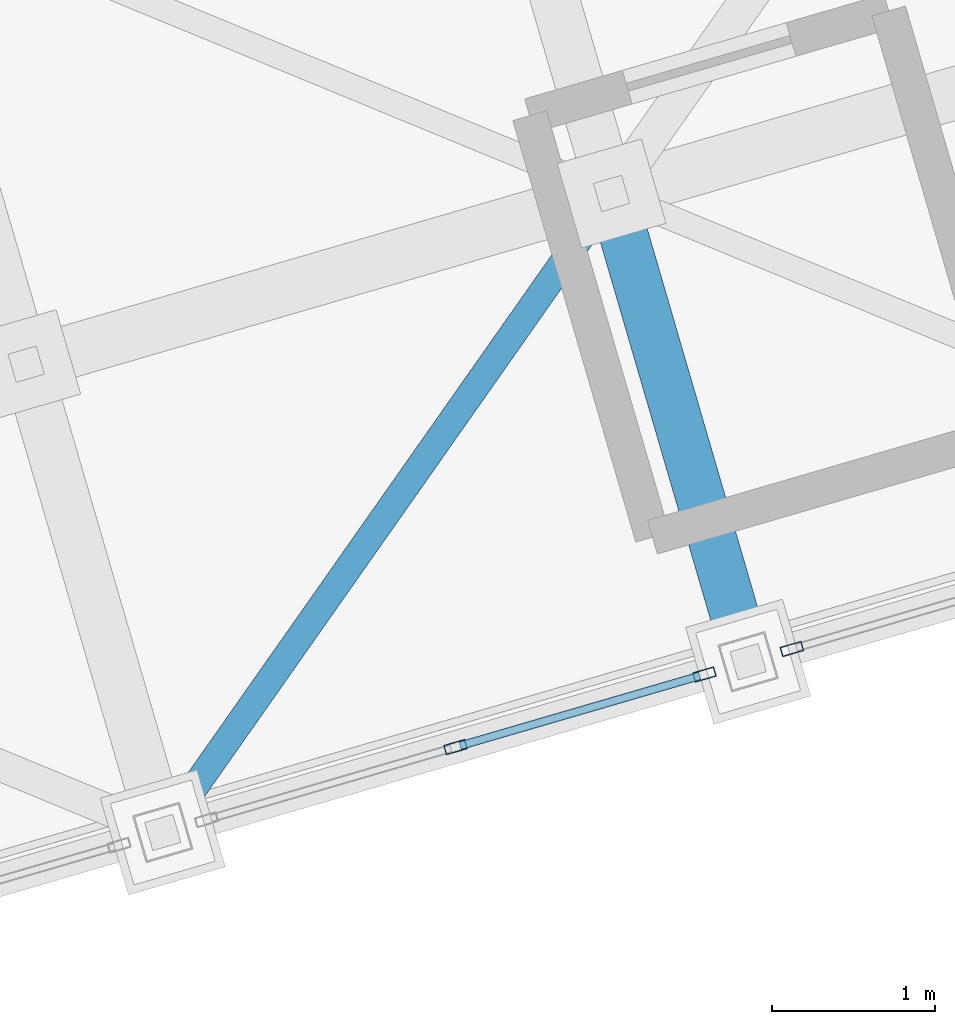
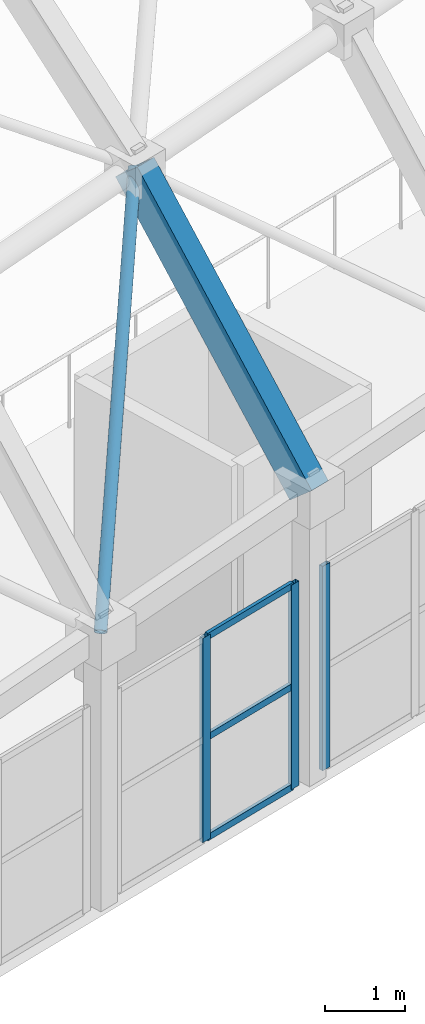
# One storey, part 40 of 248: 7 members, 1 beam, 2 elements without a shape of their own.
"""IFC4 building model written with IfcOpenShell, lengths in metres."""

import ifcopenshell
import ifcopenshell.guid

model = None  # the IFC model being written
_history = None  # IfcOwnerHistory: only IFC2X3 demands one
_inside = {}  # id of a spatial element -> (the spatial element, [elements in it])
_under = {}  # id of a project, library or spatial element -> (it, [spatial elements below it])
_declared = {}  # id of a project -> (the project, [libraries it declares])
_typed = {}  # id of a type object -> (the type object, [elements of that type])
_made_of = {}  # id of a material, layer set ... -> (it, [elements and type objects made of it])


def new_model(schema):
    """Start an empty IFC model of exactly this schema.

    Asked for "IFC4X3", IfcOpenShell would pick the latest addendum, in which some entities
    have other attributes; the version numbers below select the first issue.
    IFC2X3 requires an IfcOwnerHistory on every rooted entity: one is made here for all.
    """
    global model, _history
    if schema == "IFC4X3":
        model = ifcopenshell.file(schema_version=(4, 3, 0, 0))
    else:
        model = ifcopenshell.file(schema=schema)
    _inside.clear()
    _under.clear()
    _declared.clear()
    _typed.clear()
    _made_of.clear()
    _history = None
    if model.schema == "IFC2X3":
        org = make("IfcOrganization", Name="unknown")
        user = make(
            "IfcPersonAndOrganization",
            ThePerson=make("IfcPerson", FamilyName="unknown"),
            TheOrganization=org,
        )
        app = make(
            "IfcApplication",
            ApplicationDeveloper=org,
            Version="unknown",
            ApplicationFullName="unknown",
            ApplicationIdentifier="unknown",
        )
        _history = make(
            "IfcOwnerHistory",
            OwningUser=user,
            OwningApplication=app,
            ChangeAction="ADDED",
            CreationDate=0,
        )
    return model


def make(cls, **values):
    """One entity of the class cls with the attributes given. An attribute that is None is left unset."""
    return model.create_entity(
        cls, **{name: value for name, value in values.items() if value is not None}
    )


def rooted(cls, **values):
    """An entity with a GlobalId (a new one), such as an element, a storey or a relation."""
    return make(cls, GlobalId=ifcopenshell.guid.new(), OwnerHistory=_history, **values)


def si_unit(unit_type, name, prefix=None):
    """IfcSIUnit, for example si_unit("LENGTHUNIT", "METRE", prefix="MILLI")."""
    return make("IfcSIUnit", UnitType=unit_type, Prefix=prefix, Name=name)


def assignment(units):
    """IfcUnitAssignment: the units of a project."""
    return None if units is None else make("IfcUnitAssignment", Units=units)


def point(xyz):
    """IfcCartesianPoint."""
    return None if xyz is None else make("IfcCartesianPoint", Coordinates=xyz)


def direction(xyz):
    """IfcDirection."""
    return None if xyz is None else make("IfcDirection", DirectionRatios=xyz)


def frame(location, z_axis=None, x_axis=None):
    """IfcAxis2Placement3D, a coordinate frame: its origin and axes. An axis left out is left unset."""
    return make(
        "IfcAxis2Placement3D",
        Location=point(location),
        Axis=direction(z_axis),
        RefDirection=direction(x_axis),
    )


def frame_2d(location, x_axis=None):
    """IfcAxis2Placement2D, a coordinate frame in the plane: its origin and x axis."""
    return make(
        "IfcAxis2Placement2D", Location=point(location), RefDirection=direction(x_axis)
    )


def origin():
    """The frame at (0, 0, 0) with its axes left unset."""
    return frame((0.0, 0.0, 0.0))


def origin_2d():
    """The frame at (0, 0) in the plane with its x axis left unset."""
    return frame_2d((0.0, 0.0))


def place(relative_to, where):
    """IfcLocalPlacement: puts the frame where relative to a parent placement (None: the world)."""
    return make(
        "IfcLocalPlacement", PlacementRelTo=relative_to, RelativePlacement=where
    )


def context(
    kind, dimensions, precision=None, world=None, true_north=None, identifier=None
):
    """IfcGeometricRepresentationContext, for example the 3D "Model" context."""
    return make(
        "IfcGeometricRepresentationContext",
        ContextIdentifier=identifier,
        ContextType=kind,
        CoordinateSpaceDimension=dimensions,
        Precision=precision,
        WorldCoordinateSystem=world,
        TrueNorth=true_north,
    )


def subcontext(parent, identifier, kind, view, scale=None):
    """IfcGeometricRepresentationSubContext, for example "Body" below "Model"."""
    return make(
        "IfcGeometricRepresentationSubContext",
        ContextIdentifier=identifier,
        ContextType=kind,
        ParentContext=parent,
        TargetScale=scale,
        TargetView=view,
    )


def project(units=None, contexts=None):
    """IfcProject with its units and contexts."""
    return rooted(
        "IfcProject",
        Name="project",
        RepresentationContexts=contexts,
        UnitsInContext=assignment(units),
    )


def spatial(cls, under=None, at=None, **own):
    """A site, building, storey or space (cls), placed at a placement, below another one or the project."""
    s = rooted(cls, ObjectPlacement=at, **own)
    if under is not None:
        _under.setdefault(under.id(), (under, []))[1].append(s)
    return s


def profile(cls, at=None, kind="AREA", **sizes):
    """A parametric profile (cls). Its sizes go by their IFC names, for example OverallWidth=200.0."""
    return make(cls, ProfileType=kind, Position=at, **sizes)


def hollow_rectangle(**sizes):
    """IfcRectangleHollowProfileDef."""
    return profile("IfcRectangleHollowProfileDef", **sizes)


def hollow_circle(**sizes):
    """IfcCircleHollowProfileDef."""
    return profile("IfcCircleHollowProfileDef", **sizes)


def extrude(swept, where, along, depth):
    """IfcExtrudedAreaSolid: the profile swept, set in the frame where, extruded along a direction by depth."""
    return make(
        "IfcExtrudedAreaSolid",
        SweptArea=swept,
        Position=where,
        ExtrudedDirection=direction(along),
        Depth=depth,
    )


def shape(context_of_items, identifier, shape_type, items):
    """IfcShapeRepresentation: the items that make up one representation, for example the "Body"."""
    return make(
        "IfcShapeRepresentation",
        ContextOfItems=context_of_items,
        RepresentationIdentifier=identifier,
        RepresentationType=shape_type,
        Items=items,
    )


def material(Name=None, Category=None):
    """IfcMaterial."""
    return make("IfcMaterial", Name=Name, Category=Category)


def layer(
    of_material, thickness, ventilated=None, Name=None, Category=None, Priority=None
):
    """IfcMaterialLayer: one layer of a wall or slab, of a material (None: an air gap)."""
    return make(
        "IfcMaterialLayer",
        Material=of_material,
        LayerThickness=thickness,
        IsVentilated=ventilated,
        Name=Name,
        Category=Category,
        Priority=Priority,
    )


def layer_set(layers, Name=None):
    """IfcMaterialLayerSet."""
    return make("IfcMaterialLayerSet", MaterialLayers=layers, LayerSetName=Name)


def material_profile(
    of_material, cross_section, Name=None, Category=None, Priority=None
):
    """IfcMaterialProfile: a cross section and its material."""
    return make(
        "IfcMaterialProfile",
        Name=Name,
        Material=of_material,
        Profile=cross_section,
        Priority=Priority,
        Category=Category,
    )


def profile_set(profiles, Name=None, composite=None):
    """IfcMaterialProfileSet."""
    return make(
        "IfcMaterialProfileSet",
        Name=Name,
        MaterialProfiles=profiles,
        CompositeProfile=composite,
    )


def made_of(thing, what):
    """Note that an element or type object is made of a material, layer set ...; save() writes the relation."""
    if what is not None:
        _made_of.setdefault(what.id(), (what, []))[1].append(thing)
    return thing


def type_object(cls, material=None, **own):
    """A type object (cls), such as IfcWallType, which elements share."""
    return made_of(rooted(cls, **own), material)


def element(
    cls,
    number,
    at=None,
    inside=None,
    cuts=None,
    type_object=None,
    material=None,
    context=None,
    identifier="Body",
    shape_type=None,
    held_by="IfcProductDefinitionShape",
    body=None,
    shapes=None,
    **own,
):
    """One element of the class cls, such as IfcWall. Its Tag is "e" and its number.

    at: its placement. inside: the storey or other place that contains it. cuts: it is an
    opening in that element (IfcRelVoidsElement). A single representation is given by context,
    identifier, shape_type and body (its items); several are given by shapes. held_by: the class
    of the entity that holds the representations. save() writes the other relations.
    """
    e = rooted(cls, Tag="e%d" % number, ObjectPlacement=at, **own)
    if body is not None:
        shapes = [shape(context, identifier, shape_type, body)]
    if shapes is not None:
        e.Representation = make(held_by, Representations=shapes)
    if inside is not None:
        _inside.setdefault(inside.id(), (inside, []))[1].append(e)
    if cuts is not None:
        rooted(
            "IfcRelVoidsElement", RelatingBuildingElement=cuts, RelatedOpeningElement=e
        )
    if type_object is not None:
        _typed.setdefault(type_object.id(), (type_object, []))[1].append(e)
    return made_of(e, material)


def aggregate(whole, parts):
    """IfcRelAggregates: a whole, such as a stair, and the parts it consists of."""
    return rooted("IfcRelAggregates", RelatingObject=whole, RelatedObjects=parts)


def save(model, path):
    """Write the relations noted so far, then the file.

    IfcRelAggregates (storeys below a building ...), IfcRelContainedInSpatialStructure (elements
    in a storey), IfcRelDefinesByType, IfcRelAssociatesMaterial and IfcRelDeclares: one each for
    every whole, place, type object, material and project.
    """
    for whole, parts in _under.values():
        aggregate(whole, parts)
    for where, things in _inside.values():
        rooted(
            "IfcRelContainedInSpatialStructure",
            RelatedElements=things,
            RelatingStructure=where,
        )
    for kind, things in _typed.values():
        rooted("IfcRelDefinesByType", RelatedObjects=things, RelatingType=kind)
    for what, things in _made_of.values():
        rooted("IfcRelAssociatesMaterial", RelatedObjects=things, RelatingMaterial=what)
    for by, libraries in _declared.values():
        rooted("IfcRelDeclares", RelatingContext=by, RelatedDefinitions=libraries)
    model.write(path)


model = new_model("IFC4")

# Units and contexts
model_context = context("Model", 3, precision=1e-05, world=origin(), true_north=direction((0.0, 1.0)))
body_context = subcontext(model_context, "Body", "Model", "MODEL_VIEW")
ifc_project = project(units=[si_unit("LENGTHUNIT", "METRE"), si_unit("AREAUNIT", "SQUARE_METRE"), si_unit("VOLUMEUNIT", "CUBIC_METRE"), si_unit("PLANEANGLEUNIT", "RADIAN"), si_unit("MASSUNIT", "GRAM", prefix="KILO")], contexts=[model_context])

# Site, building, storey
site_placement = place(None, origin())
site = spatial("IfcSite", under=ifc_project, at=site_placement, CompositionType="ELEMENT")
building_placement = place(site_placement, origin())
building = spatial("IfcBuilding", under=site, at=building_placement, Name="Canggui Botanical Conservatory", CompositionType="ELEMENT")
storey_placement = place(building_placement, frame((0.0, 0.0, 5.39990234375)))
storey = spatial("IfcBuildingStorey", under=building, at=storey_placement, Name="L02", CompositionType="ELEMENT", Elevation=5.39990234375)

# Beam
ifc_material_1 = material(Name="Steel Q355C", Category="steel")
ifc_material_profile_1 = material_profile(ifc_material_1, hollow_rectangle(XDim=0.300048828125, YDim=0.5, WallThickness=0.01611328125, at=origin_2d()), Name="RHS 300x500x16")
ifc_profile_set_1 = profile_set([ifc_material_profile_1], Name="Steel Q355C")
beam_type = type_object("IfcBeamType", Name="BM-GJ01", PredefinedType="BEAM", material=ifc_profile_set_1)
beam_placement = place(storey_placement, frame((30.800048828125, 45.14990234375, 4.35009765625), z_axis=(-0.183561899057, 0.629316978545, 0.755159036051), x_axis=(-0.959995442804, -0.2800156242, 0.0)))
element("IfcBeam", 1, at=beam_placement, inside=storey, type_object=beam_type, Name="Conservatory Stepped-Arch Rib GJ-04 Segment 1", PredefinedType="BEAM", context=body_context, shape_type="SweptSolid", body=[
    extrude(hollow_rectangle(XDim=0.300048828125, YDim=0.5, WallThickness=0.01611328125, at=origin_2d()), origin(), (0.0, 0.0, 1.0), 4.57666015625),
])

# Curtain wall, members
ifc_material_2 = material(Name="Thermally Broken Aluminium", Category="aluminium")
ifc_layer = layer(ifc_material_2, 0.135009765625, Name="Thermally Broken Aluminium", Category="aluminium")
ifc_layer_set = layer_set([ifc_layer], Name="Thermally Broken Aluminium")
curtain_wall_type = type_object("IfcCurtainWallType", Name="CW-STICK-A", PredefinedType="USERDEFINED", material=ifc_layer_set)
curtain_wall_1_placement = place(storey_placement, origin())
curtain_wall_1 = element("IfcCurtainWall", 2, at=curtain_wall_1_placement, inside=storey, type_object=curtain_wall_type, Name="Facade Curtain Wall CW-CONS-L02-V0-03", ObjectType="STICK GLAZED WALL", PredefinedType="USERDEFINED")
ifc_material_profile_2 = material_profile(ifc_material_2, hollow_rectangle(XDim=0.06005859375, YDim=0.135009765625, WallThickness=0.00341796875, at=origin_2d()), Name="CWM 60x135x3.5")
ifc_profile_set_2 = profile_set([ifc_material_profile_2], Name="Thermally Broken Aluminium")
member_type_1 = type_object("IfcMemberType", Name="CWM-04", PredefinedType="MULLION", material=ifc_profile_set_2)
member_1_placement = place(storey_placement, frame((30.53125, 45.071533203125, 0.0), z_axis=(0.0, 0.0, 1.0), x_axis=(0.279999999995, -0.960000000002, 0.0)))
member_1 = element("IfcMember", 3, at=member_1_placement, type_object=member_type_1, Name="CW-04 mullion 1", PredefinedType="MULLION", context=body_context, shape_type="SweptSolid", body=[
    extrude(hollow_rectangle(XDim=0.06005859375, YDim=0.135009765625, WallThickness=0.00341796875, at=origin_2d()), origin(), (0.0, 0.0, 1.0), 3.10009765625),
])
member_2_placement = place(storey_placement, frame((29.0, 44.625, 0.0), z_axis=(0.0, 0.0, 1.0), x_axis=(0.279999999995, -0.960000000002, 0.0)))
member_2 = element("IfcMember", 4, at=member_2_placement, type_object=member_type_1, Name="CW-04 mullion 2", PredefinedType="MULLION", context=body_context, shape_type="SweptSolid", body=[
    extrude(hollow_rectangle(XDim=0.06005859375, YDim=0.135009765625, WallThickness=0.00341796875, at=origin_2d()), origin(), (0.0, 0.0, 1.0), 3.10009765625),
])

# Curtain wall, member
curtain_wall_2_placement = place(storey_placement, origin())
curtain_wall_2 = element("IfcCurtainWall", 5, at=curtain_wall_2_placement, inside=storey, type_object=curtain_wall_type, Name="Facade Curtain Wall CW-CONS-L02-V0-04", ObjectType="STICK GLAZED WALL", PredefinedType="USERDEFINED")
member_3_placement = place(storey_placement, frame((31.06884765625, 45.228515625, 0.0), z_axis=(0.0, 0.0, 1.0), x_axis=(0.279999999995, -0.960000000002, 0.0)))
member_3 = element("IfcMember", 6, at=member_3_placement, type_object=member_type_1, Name="CW-04 mullion 3", PredefinedType="MULLION", context=body_context, shape_type="SweptSolid", body=[
    extrude(hollow_rectangle(XDim=0.06005859375, YDim=0.135009765625, WallThickness=0.00341796875, at=origin_2d()), origin(), (0.0, 0.0, 1.0), 3.10009765625),
])
aggregate(curtain_wall_2, [member_3])

# Member
ifc_material_profile_3 = material_profile(ifc_material_2, hollow_rectangle(XDim=0.050048828125, YDim=0.10009765625, WallThickness=0.0029296875, at=origin_2d()), Name="CWT 50x100x3")
ifc_profile_set_3 = profile_set([ifc_material_profile_3], Name="Thermally Broken Aluminium")
member_type_2 = type_object("IfcMemberType", Name="CWT-04", PredefinedType="USERDEFINED", material=ifc_profile_set_3)
member_4_placement = place(storey_placement, frame((30.50244140625, 45.063232421875, 0.025146484375), z_axis=(-0.959978621933, -0.280073285822, 0.0), x_axis=(0.280073285822, -0.959978621933, 0.0)))
member_4 = element("IfcMember", 7, at=member_4_placement, type_object=member_type_2, Name="CW-04 transom 1.1", ObjectType="TRANSOM", PredefinedType="USERDEFINED", context=body_context, shape_type="SweptSolid", body=[
    extrude(hollow_rectangle(XDim=0.050048828125, YDim=0.10009765625, WallThickness=0.0029296875, at=origin_2d()), origin(), (0.0, 0.0, 1.0), 1.53515625),
])

member_5_placement = place(storey_placement, frame((30.50244140625, 45.063232421875, 1.550048828125), z_axis=(-0.959978621933, -0.280073285822, 0.0), x_axis=(0.280073285822, -0.959978621933, 0.0)))
member_5 = element("IfcMember", 8, at=member_5_placement, type_object=member_type_2, Name="CW-04 transom 1.2", ObjectType="TRANSOM", PredefinedType="USERDEFINED", context=body_context, shape_type="SweptSolid", body=[
    extrude(hollow_rectangle(XDim=0.050048828125, YDim=0.10009765625, WallThickness=0.0029296875, at=origin_2d()), origin(), (0.0, 0.0, 1.0), 1.53515625),
])

member_6_placement = place(storey_placement, frame((30.50244140625, 45.063232421875, 3.0751953125), z_axis=(-0.959978621933, -0.280073285822, 0.0), x_axis=(0.280073285822, -0.959978621933, 0.0)))
member_6 = element("IfcMember", 9, at=member_6_placement, type_object=member_type_2, Name="CW-04 transom 1.3", ObjectType="TRANSOM", PredefinedType="USERDEFINED", context=body_context, shape_type="SweptSolid", body=[
    extrude(hollow_rectangle(XDim=0.050048828125, YDim=0.10009765625, WallThickness=0.0029296875, at=origin_2d()), origin(), (0.0, 0.0, 1.0), 1.53515625),
])

aggregate(curtain_wall_1, [member_1, member_2, member_4, member_5, member_6])

ifc_material_profile_4 = material_profile(ifc_material_1, hollow_circle(Radius=0.083984375, WallThickness=0.008056640625, at=origin_2d()), Name="CHS 168x8")
ifc_profile_set_4 = profile_set([ifc_material_profile_4], Name="Steel Q355C")
member_type_3 = type_object("IfcMemberType", Name="MEM-GSD03", PredefinedType="RAFTER", material=ifc_profile_set_4)
member_7_placement = place(storey_placement, frame((27.199951171875, 44.10009765625, 4.10009765625), z_axis=(0.454993560937, 0.647857704592, 0.61095110615), x_axis=(-0.818344854073, 0.574727500484, 0.0)))
element("IfcMember", 10, at=member_7_placement, inside=storey, type_object=member_type_3, Name="Conservatory Gridshell Diagrid Rafter 3-1", PredefinedType="RAFTER", context=body_context, shape_type="SweptSolid", body=[
    extrude(hollow_circle(Radius=0.083984375, WallThickness=0.008056640625, at=origin_2d()), origin(), (0.0, 0.0, 1.0), 6.066162109375),
])

save(model, "model.ifc")
